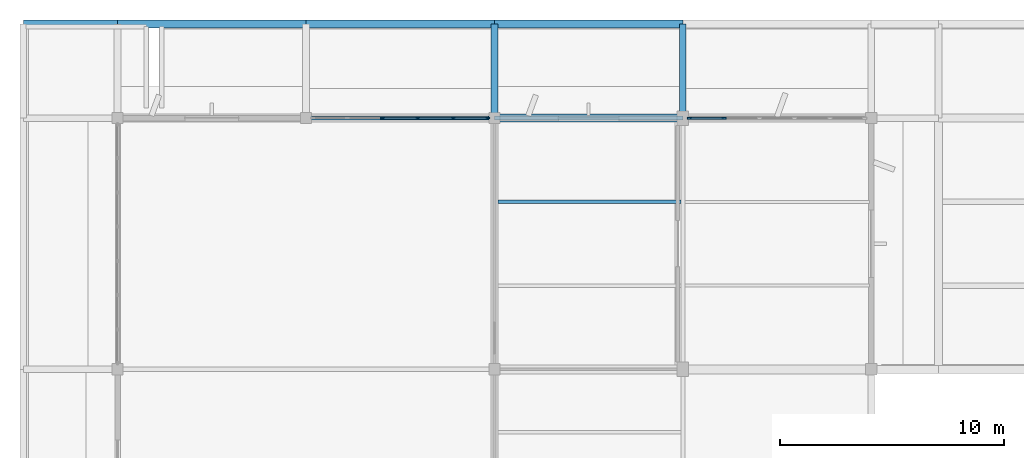
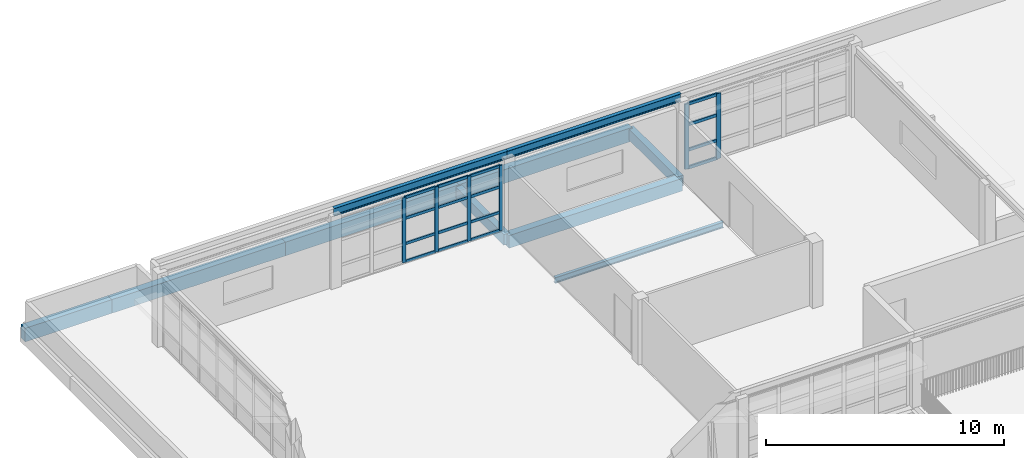
# One storey, part 33 of 92: 22 members, 10 beams, 2 elements without a shape of their own.
"""IFC4 building model written with IfcOpenShell, lengths in metres."""

from ifc_helpers import new_model, si_unit, direction, frame, origin, origin_2d, place, context, subcontext, project, spatial, rectangle, i_section, extrude, material, material_profile, profile_set, type_object, element, aggregate, save


model = new_model("IFC4")

# Units and contexts
model_context = context("Model", 3, precision=1e-05, world=origin(), true_north=direction((0.0, 1.0)))
body_context = subcontext(model_context, "Body", "Model", "MODEL_VIEW")
ifc_project = project(units=[si_unit("LENGTHUNIT", "METRE"), si_unit("AREAUNIT", "SQUARE_METRE"), si_unit("VOLUMEUNIT", "CUBIC_METRE"), si_unit("PLANEANGLEUNIT", "RADIAN"), si_unit("MASSUNIT", "GRAM", prefix="KILO")], contexts=[model_context])

# Site, building, storey
site_placement = place(None, origin())
site = spatial("IfcSite", under=ifc_project, at=site_placement, CompositionType="ELEMENT")
building_placement = place(site_placement, origin())
building = spatial("IfcBuilding", under=site, at=building_placement, Name="Vanh Quang Courtyard School", CompositionType="ELEMENT")
storey_placement = place(building_placement, frame((0.0, 0.0, 7.800048828125)))
storey = spatial("IfcBuildingStorey", under=building, at=storey_placement, Name="L02", CompositionType="ELEMENT", Elevation=7.800048828125)

# Beams
ifc_material_1 = material(Name="Concrete C35/45", Category="concrete")
ifc_material_profile_1 = material_profile(ifc_material_1, rectangle(XDim=0.300048828125, YDim=0.550048828125, at=origin_2d()), Name="RC-BM 300x550")
ifc_profile_set_1 = profile_set([ifc_material_profile_1], Name="Concrete C35/45")
beam_type_1 = type_object("IfcBeamType", Name="BM-RC-300x550", PredefinedType="BEAM", material=ifc_profile_set_1)
for number, where, z_axis, x_axis, name in (
    (1, (21.0, 107.800048828125, -0.554931640625), (0.0, 1.0, 0.0), (-1.0, 0.0, 0.0), "Beam B-07 (L02)"),
    (2, (29.39990234375, 107.800048828125, -0.554931640625), (0.0, 1.0, 0.0), (-1.0, 0.0, 0.0), "Beam B-07 (L02)"),
):
    element("IfcBeam", number, at=place(storey_placement, frame(where, z_axis=z_axis, x_axis=x_axis)), inside=storey, type_object=beam_type_1, Name=name, PredefinedType="BEAM", context=body_context, shape_type="SweptSolid", body=[
        extrude(rectangle(XDim=0.300048828125, YDim=0.550048828125, at=origin_2d()), origin(), (0.0, 0.0, 1.0), 4.199951171875),
    ])
ifc_material_profile_2 = material_profile(ifc_material_1, rectangle(XDim=0.35009765625, YDim=0.64990234375, at=origin_2d()), Name="RC-BM 350x650")
ifc_profile_set_2 = profile_set([ifc_material_profile_2], Name="Concrete C35/45")
beam_type_2 = type_object("IfcBeamType", Name="BM-RC-350x650", PredefinedType="BEAM", material=ifc_profile_set_2)
beam_1_placement = place(storey_placement, frame((21.0, 107.800048828125, -0.60498046875), z_axis=(1.0, 0.0, 0.0), x_axis=(0.0, 1.0, 0.0)))
element("IfcBeam", 3, at=beam_1_placement, inside=storey, type_object=beam_type_2, Name="Beam B-05 (L02)", PredefinedType="BEAM", context=body_context, shape_type="SweptSolid", body=[
    extrude(rectangle(XDim=0.35009765625, YDim=0.64990234375, at=origin_2d()), origin(), (0.0, 0.0, 1.0), 8.39990234375),
])
ifc_material_profile_3 = material_profile(ifc_material_1, rectangle(XDim=0.35009765625, YDim=0.699951171875, at=origin_2d()), Name="RC-BM 350x700")
ifc_profile_set_3 = profile_set([ifc_material_profile_3], Name="Concrete C35/45")
beam_type_3 = type_object("IfcBeamType", Name="BM-RC-350x700", PredefinedType="BEAM", material=ifc_profile_set_3)
beam_2_placement = place(storey_placement, frame((0.0, 112.0, -0.570068359375), z_axis=(1.0, 0.0, 0.0), x_axis=(0.0, 1.0, 0.0)))
element("IfcBeam", 4, at=beam_2_placement, inside=storey, type_object=beam_type_3, Name="Beam B-04 (L02)", PredefinedType="BEAM", context=body_context, shape_type="SweptSolid", body=[
    extrude(rectangle(XDim=0.35009765625, YDim=0.699951171875, at=origin_2d()), origin(), (0.0, 0.0, 1.0), 4.199951171875),
])
beam_3_placement = place(storey_placement, frame((4.199951171875, 112.0, -0.570068359375), z_axis=(1.0, 0.0, 0.0), x_axis=(0.0, 1.0, 0.0)))
element("IfcBeam", 5, at=beam_3_placement, inside=storey, type_object=beam_type_3, Name="Beam B-04 (L02)", PredefinedType="BEAM", context=body_context, shape_type="SweptSolid", body=[
    extrude(rectangle(XDim=0.35009765625, YDim=0.699951171875, at=origin_2d()), origin(), (0.0, 0.0, 1.0), 8.400146484375),
])
for number, where, z_axis, x_axis, name in (
    (6, (12.60009765625, 112.0, -0.570068359375), (1.0, 0.0, 0.0), (0.0, 1.0, 0.0), "Beam B-04 (L02)"),
    (7, (21.0, 112.0, -0.570068359375), (1.0, 0.0, 0.0), (0.0, 1.0, 0.0), "Beam B-04 (L02)"),
):
    element("IfcBeam", number, at=place(storey_placement, frame(where, z_axis=z_axis, x_axis=x_axis)), inside=storey, type_object=beam_type_3, Name=name, PredefinedType="BEAM", context=body_context, shape_type="SweptSolid", body=[
        extrude(rectangle(XDim=0.35009765625, YDim=0.699951171875, at=origin_2d()), origin(), (0.0, 0.0, 1.0), 8.39990234375),
    ])
ifc_material_2 = material(Name="Structural steel EN 10025-2 S355J2", Category="steel")
ifc_material_profile_4 = material_profile(ifc_material_2, i_section(OverallWidth=0.179931640625, OverallDepth=0.39990234375, WebThickness=0.008544921875, FlangeThickness=0.013427734375, FilletRadius=0.02099609375, at=origin_2d()), Name="IPE 400")
ifc_profile_set_4 = profile_set([ifc_material_profile_4], Name="Structural steel EN 10025-2 S355J2")
beam_type_4 = type_object("IfcBeamType", Name="BM-STL-IPE400", PredefinedType="BEAM", material=ifc_profile_set_4)
for number, where, z_axis, x_axis, name in (
    (8, (12.60009765625, 107.800048828125, 3.800048828125), (1.0, 0.0, 0.0), (0.0, 1.0, 0.0), "Beam SB-05 (L02)"),
    (9, (21.0, 107.800048828125, 3.800048828125), (1.0, 0.0, 0.0), (0.0, 1.0, 0.0), "Beam SB-05 (L02)"),
):
    element("IfcBeam", number, at=place(storey_placement, frame(where, z_axis=z_axis, x_axis=x_axis)), inside=storey, type_object=beam_type_4, Name=name, PredefinedType="BEAM", context=body_context, shape_type="SweptSolid", body=[
        extrude(i_section(OverallWidth=0.179931640625, OverallDepth=0.39990234375, WebThickness=0.008544921875, FlangeThickness=0.013427734375, FilletRadius=0.02099609375, at=origin_2d()), origin(), (0.0, 0.0, 1.0), 8.39990234375),
    ])

# Curtain wall, members
ifc_material_3 = material(Name="Thermally broken aluminium unitised curtain wall", Category="aluminium")
curtain_wall_type = type_object("IfcCurtainWallType", Name="CW-SYS-58", PredefinedType="NOTDEFINED", material=ifc_material_3)
curtain_wall_1_placement = place(storey_placement, origin())
curtain_wall_1 = element("IfcCurtainWall", 10, at=curtain_wall_1_placement, inside=storey, type_object=curtain_wall_type, Name="Curtain Wall CW-58 (L02)", PredefinedType="NOTDEFINED")
ifc_material_4 = material(Name="Anodised aluminium 6063-T6", Category="aluminium")
ifc_material_profile_5 = material_profile(ifc_material_4, rectangle(XDim=0.070068359375, YDim=0.179931640625, at=origin_2d()), Name="ALU-MUL 70x180")
ifc_profile_set_5 = profile_set([ifc_material_profile_5], Name="Anodised aluminium 6063-T6")
member_type_1 = type_object("IfcMemberType", Name="CW-MUL-70x180", PredefinedType="MULLION", material=ifc_profile_set_5)
member_1_placement = place(storey_placement, frame((16.01171875, 107.800048828125, 0.0), z_axis=(0.0, 0.0, 1.0), x_axis=(0.0, 1.0, 0.0)))
member_1 = element("IfcMember", 11, at=member_1_placement, type_object=member_type_1, Name="CW-58 mullion 3", PredefinedType="MULLION", context=body_context, shape_type="SweptSolid", body=[
    extrude(rectangle(XDim=0.070068359375, YDim=0.179931640625, at=origin_2d()), origin(), (0.0, 0.0, 1.0), 3.33984375),
])
member_2_placement = place(storey_placement, frame((17.58837890625, 107.800048828125, 0.0), z_axis=(0.0, 0.0, 1.0), x_axis=(0.0, 1.0, 0.0)))
member_2 = element("IfcMember", 12, at=member_2_placement, type_object=member_type_1, Name="CW-58 mullion 4", PredefinedType="MULLION", context=body_context, shape_type="SweptSolid", body=[
    extrude(rectangle(XDim=0.070068359375, YDim=0.179931640625, at=origin_2d()), origin(), (0.0, 0.0, 1.0), 3.33984375),
])
member_3_placement = place(storey_placement, frame((19.165283203125, 107.800048828125, 0.0), z_axis=(0.0, 0.0, 1.0), x_axis=(0.0, 1.0, 0.0)))
member_3 = element("IfcMember", 13, at=member_3_placement, type_object=member_type_1, Name="CW-58 mullion 5", PredefinedType="MULLION", context=body_context, shape_type="SweptSolid", body=[
    extrude(rectangle(XDim=0.070068359375, YDim=0.179931640625, at=origin_2d()), origin(), (0.0, 0.0, 1.0), 3.33984375),
])
member_4_placement = place(storey_placement, frame((20.70703125, 107.800048828125, 0.0), z_axis=(0.0, 0.0, 1.0), x_axis=(0.0, 1.0, 0.0)))
member_4 = element("IfcMember", 14, at=member_4_placement, type_object=member_type_1, Name="CW-58 mullion 6", PredefinedType="MULLION", context=body_context, shape_type="SweptSolid", body=[
    extrude(rectangle(XDim=0.070068359375, YDim=0.179931640625, at=origin_2d()), origin(), (0.0, 0.0, 1.0), 3.33984375),
])

curtain_wall_2_placement = place(storey_placement, origin())
curtain_wall_2 = element("IfcCurtainWall", 15, at=curtain_wall_2_placement, inside=storey, type_object=curtain_wall_type, Name="Curtain Wall CW-58 (L02)", PredefinedType="NOTDEFINED")
ifc_material_profile_6 = material_profile(ifc_material_4, rectangle(XDim=0.080078125, YDim=0.199951171875, at=origin_2d()), Name="ALU-MUL 80x200")
ifc_profile_set_6 = profile_set([ifc_material_profile_6], Name="Anodised aluminium 6063-T6")
member_type_2 = type_object("IfcMemberType", Name="CW-MUL-80x200", PredefinedType="MULLION", material=ifc_profile_set_6)
member_5_placement = place(storey_placement, frame((29.697998046875, 107.800048828125, 0.0), z_axis=(0.0, 0.0, 1.0), x_axis=(0.0, 1.0, 0.0)))
member_5 = element("IfcMember", 16, at=member_5_placement, type_object=member_type_2, Name="CW-58 mullion 1", PredefinedType="MULLION", context=body_context, shape_type="SweptSolid", body=[
    extrude(rectangle(XDim=0.080078125, YDim=0.199951171875, at=origin_2d()), origin(), (0.0, 0.0, 1.0), 3.33984375),
])
member_6_placement = place(storey_placement, frame((31.23486328125, 107.800048828125, 0.0), z_axis=(0.0, 0.0, 1.0), x_axis=(0.0, 1.0, 0.0)))
member_6 = element("IfcMember", 17, at=member_6_placement, type_object=member_type_2, Name="CW-58 mullion 2", PredefinedType="MULLION", context=body_context, shape_type="SweptSolid", body=[
    extrude(rectangle(XDim=0.080078125, YDim=0.199951171875, at=origin_2d()), origin(), (0.0, 0.0, 1.0), 3.33984375),
])

# Member
ifc_material_profile_7 = material_profile(ifc_material_4, rectangle(XDim=0.070068359375, YDim=0.139892578125, at=origin_2d()), Name="ALU-TRN 70x140")
ifc_profile_set_7 = profile_set([ifc_material_profile_7], Name="Anodised aluminium 6063-T6")
member_type_3 = type_object("IfcMemberType", Name="CW-TRN-70x140", PredefinedType="USERDEFINED", material=ifc_profile_set_7)
member_7_placement = place(storey_placement, frame((16.046630859375, 107.800048828125, 0.034912109375), z_axis=(1.0, 0.0, 0.0), x_axis=(0.0, 1.0, 0.0)))
member_7 = element("IfcMember", 18, at=member_7_placement, type_object=member_type_3, Name="CW-58 transom 3.1", ObjectType="TRANSOM", PredefinedType="USERDEFINED", context=body_context, shape_type="SweptSolid", body=[
    extrude(rectangle(XDim=0.070068359375, YDim=0.139892578125, at=origin_2d()), origin(), (0.0, 0.0, 1.0), 1.5068359375),
])

member_8_placement = place(storey_placement, frame((16.046630859375, 107.800048828125, 0.949951171875), z_axis=(1.0, 0.0, 0.0), x_axis=(0.0, 1.0, 0.0)))
member_8 = element("IfcMember", 19, at=member_8_placement, type_object=member_type_3, Name="CW-58 transom 3.2", ObjectType="TRANSOM", PredefinedType="USERDEFINED", context=body_context, shape_type="SweptSolid", body=[
    extrude(rectangle(XDim=0.070068359375, YDim=0.139892578125, at=origin_2d()), origin(), (0.0, 0.0, 1.0), 1.5068359375),
])

member_9_placement = place(storey_placement, frame((16.046630859375, 107.800048828125, 2.25), z_axis=(1.0, 0.0, 0.0), x_axis=(0.0, 1.0, 0.0)))
member_9 = element("IfcMember", 20, at=member_9_placement, type_object=member_type_3, Name="CW-58 transom 3.3", ObjectType="TRANSOM", PredefinedType="USERDEFINED", context=body_context, shape_type="SweptSolid", body=[
    extrude(rectangle(XDim=0.070068359375, YDim=0.139892578125, at=origin_2d()), origin(), (0.0, 0.0, 1.0), 1.5068359375),
])

member_10_placement = place(storey_placement, frame((16.046630859375, 107.800048828125, 3.304931640625), z_axis=(1.0, 0.0, 0.0), x_axis=(0.0, 1.0, 0.0)))
member_10 = element("IfcMember", 21, at=member_10_placement, type_object=member_type_3, Name="CW-58 transom 3.4", ObjectType="TRANSOM", PredefinedType="USERDEFINED", context=body_context, shape_type="SweptSolid", body=[
    extrude(rectangle(XDim=0.070068359375, YDim=0.139892578125, at=origin_2d()), origin(), (0.0, 0.0, 1.0), 1.5068359375),
])

member_11_placement = place(storey_placement, frame((17.623291015625, 107.800048828125, 0.034912109375), z_axis=(1.0, 0.0, 0.0), x_axis=(0.0, 1.0, 0.0)))
member_11 = element("IfcMember", 22, at=member_11_placement, type_object=member_type_3, Name="CW-58 transom 4.1", ObjectType="TRANSOM", PredefinedType="USERDEFINED", context=body_context, shape_type="SweptSolid", body=[
    extrude(rectangle(XDim=0.070068359375, YDim=0.139892578125, at=origin_2d()), origin(), (0.0, 0.0, 1.0), 1.5068359375),
])

member_12_placement = place(storey_placement, frame((17.623291015625, 107.800048828125, 0.949951171875), z_axis=(1.0, 0.0, 0.0), x_axis=(0.0, 1.0, 0.0)))
member_12 = element("IfcMember", 23, at=member_12_placement, type_object=member_type_3, Name="CW-58 transom 4.2", ObjectType="TRANSOM", PredefinedType="USERDEFINED", context=body_context, shape_type="SweptSolid", body=[
    extrude(rectangle(XDim=0.070068359375, YDim=0.139892578125, at=origin_2d()), origin(), (0.0, 0.0, 1.0), 1.5068359375),
])

member_13_placement = place(storey_placement, frame((17.623291015625, 107.800048828125, 2.25), z_axis=(1.0, 0.0, 0.0), x_axis=(0.0, 1.0, 0.0)))
member_13 = element("IfcMember", 24, at=member_13_placement, type_object=member_type_3, Name="CW-58 transom 4.3", ObjectType="TRANSOM", PredefinedType="USERDEFINED", context=body_context, shape_type="SweptSolid", body=[
    extrude(rectangle(XDim=0.070068359375, YDim=0.139892578125, at=origin_2d()), origin(), (0.0, 0.0, 1.0), 1.5068359375),
])

member_14_placement = place(storey_placement, frame((17.623291015625, 107.800048828125, 3.304931640625), z_axis=(1.0, 0.0, 0.0), x_axis=(0.0, 1.0, 0.0)))
member_14 = element("IfcMember", 25, at=member_14_placement, type_object=member_type_3, Name="CW-58 transom 4.4", ObjectType="TRANSOM", PredefinedType="USERDEFINED", context=body_context, shape_type="SweptSolid", body=[
    extrude(rectangle(XDim=0.070068359375, YDim=0.139892578125, at=origin_2d()), origin(), (0.0, 0.0, 1.0), 1.5068359375),
])

member_15_placement = place(storey_placement, frame((19.2001953125, 107.800048828125, 0.034912109375), z_axis=(1.0, 0.0, 0.0), x_axis=(0.0, 1.0, 0.0)))
member_15 = element("IfcMember", 26, at=member_15_placement, type_object=member_type_3, Name="CW-58 transom 5.1", ObjectType="TRANSOM", PredefinedType="USERDEFINED", context=body_context, shape_type="SweptSolid", body=[
    extrude(rectangle(XDim=0.070068359375, YDim=0.139892578125, at=origin_2d()), origin(), (0.0, 0.0, 1.0), 1.471923828125),
])

member_16_placement = place(storey_placement, frame((19.2001953125, 107.800048828125, 0.949951171875), z_axis=(1.0, 0.0, 0.0), x_axis=(0.0, 1.0, 0.0)))
member_16 = element("IfcMember", 27, at=member_16_placement, type_object=member_type_3, Name="CW-58 transom 5.2", ObjectType="TRANSOM", PredefinedType="USERDEFINED", context=body_context, shape_type="SweptSolid", body=[
    extrude(rectangle(XDim=0.070068359375, YDim=0.139892578125, at=origin_2d()), origin(), (0.0, 0.0, 1.0), 1.471923828125),
])

member_17_placement = place(storey_placement, frame((19.2001953125, 107.800048828125, 2.25), z_axis=(1.0, 0.0, 0.0), x_axis=(0.0, 1.0, 0.0)))
member_17 = element("IfcMember", 28, at=member_17_placement, type_object=member_type_3, Name="CW-58 transom 5.3", ObjectType="TRANSOM", PredefinedType="USERDEFINED", context=body_context, shape_type="SweptSolid", body=[
    extrude(rectangle(XDim=0.070068359375, YDim=0.139892578125, at=origin_2d()), origin(), (0.0, 0.0, 1.0), 1.471923828125),
])

member_18_placement = place(storey_placement, frame((19.2001953125, 107.800048828125, 3.304931640625), z_axis=(1.0, 0.0, 0.0), x_axis=(0.0, 1.0, 0.0)))
member_18 = element("IfcMember", 29, at=member_18_placement, type_object=member_type_3, Name="CW-58 transom 5.4", ObjectType="TRANSOM", PredefinedType="USERDEFINED", context=body_context, shape_type="SweptSolid", body=[
    extrude(rectangle(XDim=0.070068359375, YDim=0.139892578125, at=origin_2d()), origin(), (0.0, 0.0, 1.0), 1.471923828125),
])

aggregate(curtain_wall_1, [member_1, member_2, member_3, member_4, member_7, member_8, member_9, member_10, member_11, member_12, member_13, member_14, member_15, member_16, member_17, member_18])

ifc_material_profile_8 = material_profile(ifc_material_4, rectangle(XDim=0.080078125, YDim=0.14990234375, at=origin_2d()), Name="ALU-TRN 80x150")
ifc_profile_set_8 = profile_set([ifc_material_profile_8], Name="Anodised aluminium 6063-T6")
member_type_4 = type_object("IfcMemberType", Name="CW-TRN-80x150", PredefinedType="USERDEFINED", material=ifc_profile_set_8)
member_19_placement = place(storey_placement, frame((29.738037109375, 107.800048828125, 0.0400390625), z_axis=(1.0, 0.0, 0.0), x_axis=(0.0, 1.0, 0.0)))
member_19 = element("IfcMember", 30, at=member_19_placement, type_object=member_type_4, Name="CW-58 transom 1.1", ObjectType="TRANSOM", PredefinedType="USERDEFINED", context=body_context, shape_type="SweptSolid", body=[
    extrude(rectangle(XDim=0.080078125, YDim=0.14990234375, at=origin_2d()), origin(), (0.0, 0.0, 1.0), 1.456787109375),
])

member_20_placement = place(storey_placement, frame((29.738037109375, 107.800048828125, 0.949951171875), z_axis=(1.0, 0.0, 0.0), x_axis=(0.0, 1.0, 0.0)))
member_20 = element("IfcMember", 31, at=member_20_placement, type_object=member_type_4, Name="CW-58 transom 1.2", ObjectType="TRANSOM", PredefinedType="USERDEFINED", context=body_context, shape_type="SweptSolid", body=[
    extrude(rectangle(XDim=0.080078125, YDim=0.14990234375, at=origin_2d()), origin(), (0.0, 0.0, 1.0), 1.456787109375),
])

member_21_placement = place(storey_placement, frame((29.738037109375, 107.800048828125, 2.25), z_axis=(1.0, 0.0, 0.0), x_axis=(0.0, 1.0, 0.0)))
member_21 = element("IfcMember", 32, at=member_21_placement, type_object=member_type_4, Name="CW-58 transom 1.3", ObjectType="TRANSOM", PredefinedType="USERDEFINED", context=body_context, shape_type="SweptSolid", body=[
    extrude(rectangle(XDim=0.080078125, YDim=0.14990234375, at=origin_2d()), origin(), (0.0, 0.0, 1.0), 1.456787109375),
])

member_22_placement = place(storey_placement, frame((29.738037109375, 107.800048828125, 3.300048828125), z_axis=(1.0, 0.0, 0.0), x_axis=(0.0, 1.0, 0.0)))
member_22 = element("IfcMember", 33, at=member_22_placement, type_object=member_type_4, Name="CW-58 transom 1.4", ObjectType="TRANSOM", PredefinedType="USERDEFINED", context=body_context, shape_type="SweptSolid", body=[
    extrude(rectangle(XDim=0.080078125, YDim=0.14990234375, at=origin_2d()), origin(), (0.0, 0.0, 1.0), 1.456787109375),
])

aggregate(curtain_wall_2, [member_5, member_6, member_19, member_20, member_21, member_22])

# Beam
ifc_material_profile_9 = material_profile(ifc_material_2, i_section(OverallWidth=0.14990234375, OverallDepth=0.300048828125, WebThickness=0.007080078125, FlangeThickness=0.0107421875, FilletRadius=0.014892578125, at=origin_2d()), Name="IPE 300")
ifc_profile_set_9 = profile_set([ifc_material_profile_9], Name="Structural steel EN 10025-2 S355J2")
beam_type_5 = type_object("IfcBeamType", Name="JST-STL-IPE300", PredefinedType="JOIST", material=ifc_profile_set_9)
beam_4_placement = place(storey_placement, frame((21.14990234375, 104.066650390625, -0.429931640625), z_axis=(1.0, 0.0, 0.0), x_axis=(0.0, 1.0, 0.0)))
element("IfcBeam", 34, at=beam_4_placement, inside=storey, type_object=beam_type_5, Name="Beam SJ-02 (L02)", PredefinedType="JOIST", context=body_context, shape_type="SweptSolid", body=[
    extrude(i_section(OverallWidth=0.14990234375, OverallDepth=0.300048828125, WebThickness=0.007080078125, FlangeThickness=0.0107421875, FilletRadius=0.014892578125, at=origin_2d()), origin(), (0.0, 0.0, 1.0), 8.16015625),
])

save(model, "model.ifc")
